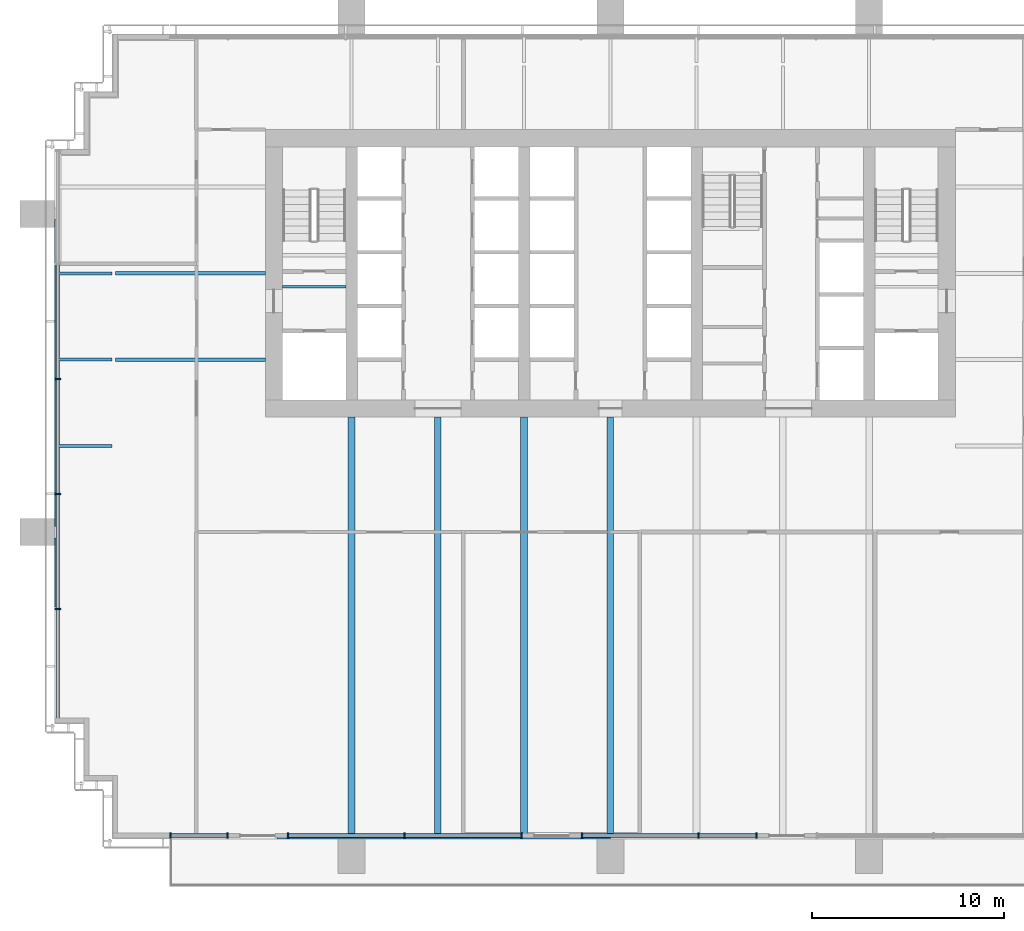
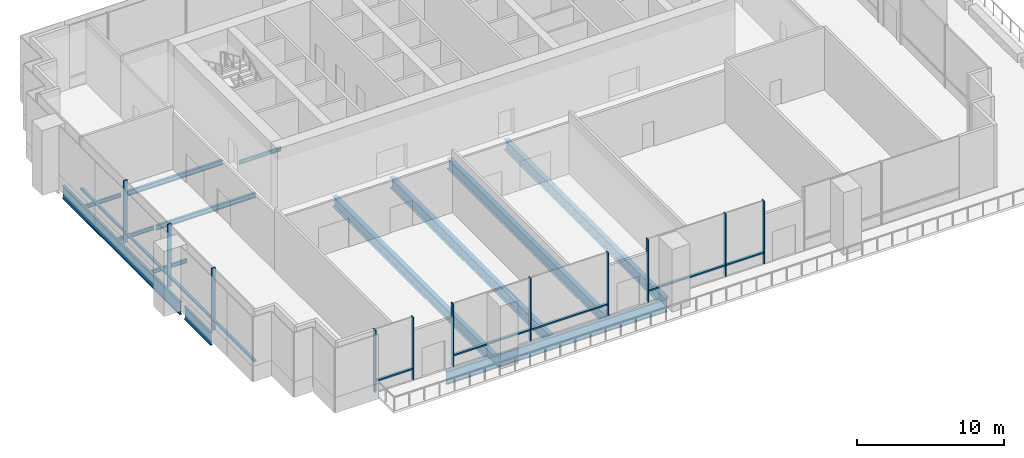
# One storey, part 2 of 14: 20 members, 13 beams, 4 elements without a shape of their own.
"""IFC4 building model written with IfcOpenShell, lengths in metres."""

from ifc_helpers import new_model, si_unit, direction, frame, origin, origin_2d, place, context, subcontext, project, spatial, rectangle, i_section, extrude, material, layer, layer_set, material_profile, profile_set, type_object, element, aggregate, save


model = new_model("IFC4")

# Units and contexts
model_context = context("Model", 3, precision=1e-05, world=origin(), true_north=direction((0.0, 1.0)))
body_context = subcontext(model_context, "Body", "Model", "MODEL_VIEW")
ifc_project = project(units=[si_unit("LENGTHUNIT", "METRE"), si_unit("AREAUNIT", "SQUARE_METRE"), si_unit("VOLUMEUNIT", "CUBIC_METRE"), si_unit("PLANEANGLEUNIT", "RADIAN"), si_unit("MASSUNIT", "GRAM", prefix="KILO")], contexts=[model_context])

# Site, building, storey
site_placement = place(None, origin())
site = spatial("IfcSite", under=ifc_project, at=site_placement, CompositionType="ELEMENT")
building_placement = place(site_placement, origin())
building = spatial("IfcBuilding", under=site, at=building_placement, Name="Rattan Terrace Tower", CompositionType="ELEMENT")
storey_placement = place(building_placement, frame((0.0, 0.0, 120.699951171875)))
storey = spatial("IfcBuildingStorey", under=building, at=storey_placement, Name="L27", CompositionType="ELEMENT", Elevation=120.699951171875)

# Beams
ifc_material_1 = material(Name="Steel S460", Category="steel")
ifc_material_profile_1 = material_profile(ifc_material_1, i_section(OverallWidth=0.179931640625, OverallDepth=1.10009765625, WebThickness=0.01611328125, FlangeThickness=0.050048828125, at=origin_2d()), Name="PG 1100x180-16-50")
ifc_profile_set_1 = profile_set([ifc_material_profile_1], Name="Steel S460")
beam_type_1 = type_object("IfcBeamType", Name="Frame edge girder PG 1100x180-16-50", PredefinedType="SPANDREL", material=ifc_profile_set_1)
beam_1_placement = place(storey_placement, frame((-17.39990234375, -29.409912109375, -0.75), z_axis=(1.0, 0.0, 0.0), x_axis=(0.0, 1.0, 0.0)))
element("IfcBeam", 1, at=beam_1_placement, inside=storey, type_object=beam_type_1, Name="gdr-L27-001", PredefinedType="SPANDREL", context=body_context, shape_type="SweptSolid", body=[
    extrude(i_section(OverallWidth=0.179931640625, OverallDepth=1.10009765625, WebThickness=0.01611328125, FlangeThickness=0.050048828125, at=origin_2d()), origin(), (0.0, 0.0, 1.0), 17.39990234375),
])
beam_2_placement = place(storey_placement, frame((-28.909912109375, -13.800048828125, -0.75), z_axis=(0.0, -1.0, 0.0), x_axis=(1.0, 0.0, 0.0)))
element("IfcBeam", 2, at=beam_2_placement, inside=storey, type_object=beam_type_1, Name="gdr-L27-003", PredefinedType="SPANDREL", context=body_context, shape_type="SweptSolid", body=[
    extrude(i_section(OverallWidth=0.179931640625, OverallDepth=1.10009765625, WebThickness=0.01611328125, FlangeThickness=0.050048828125, at=origin_2d()), origin(), (0.0, 0.0, 1.0), 3.599853515625),
])
beam_3_placement = place(storey_placement, frame((-28.909912109375, 2.800048828125, -0.75), z_axis=(0.0, -1.0, 0.0), x_axis=(1.0, 0.0, 0.0)))
element("IfcBeam", 3, at=beam_3_placement, inside=storey, type_object=beam_type_1, Name="gdr-L27-006", PredefinedType="SPANDREL", context=body_context, shape_type="SweptSolid", body=[
    extrude(i_section(OverallWidth=0.179931640625, OverallDepth=1.10009765625, WebThickness=0.01611328125, FlangeThickness=0.050048828125, at=origin_2d()), origin(), (0.0, 0.0, 1.0), 16.0),
])
ifc_material_2 = material(Name="Steel S355", Category="steel")
ifc_material_profile_2 = material_profile(ifc_material_2, i_section(OverallWidth=0.14990234375, OverallDepth=0.300048828125, WebThickness=0.007080078125, FlangeThickness=0.0107421875, FilletRadius=0.014892578125, at=origin_2d()), Name="IPE 300")
ifc_profile_set_2 = profile_set([ifc_material_profile_2], Name="Steel S355")
beam_type_2 = type_object("IfcBeamType", Name="Frame floor beam IPE 300", PredefinedType="JOIST", material=ifc_profile_set_2)
beam_4_placement = place(storey_placement, frame((-17.10009765625, -0.695068359375, -0.349853515625), z_axis=(1.0, 0.0, 0.0), x_axis=(0.0, 1.0, 0.0)))
element("IfcBeam", 4, at=beam_4_placement, inside=storey, type_object=beam_type_2, Name="bm-L27-001", PredefinedType="JOIST", context=body_context, shape_type="SweptSolid", body=[
    extrude(i_section(OverallWidth=0.14990234375, OverallDepth=0.300048828125, WebThickness=0.007080078125, FlangeThickness=0.0107421875, FilletRadius=0.014892578125, at=origin_2d()), origin(), (0.0, 0.0, 1.0), 3.300048828125),
])
for number, where, z_axis, x_axis, name in (
    (5, (-28.820068359375, -9.0, -0.349853515625), (1.0, 0.0, 0.0), (0.0, 1.0, 0.0), "bm-L27-010"),
    (6, (-28.820068359375, -4.5, -0.349853515625), (1.0, 0.0, 0.0), (0.0, 1.0, 0.0), "bm-L27-012"),
    (7, (-28.820068359375, 0.0, -0.349853515625), (1.0, 0.0, 0.0), (0.0, 1.0, 0.0), "bm-L27-015"),
):
    element("IfcBeam", number, at=place(storey_placement, frame(where, z_axis=z_axis, x_axis=x_axis)), inside=storey, type_object=beam_type_2, Name=name, PredefinedType="JOIST", context=body_context, shape_type="SweptSolid", body=[
        extrude(i_section(OverallWidth=0.14990234375, OverallDepth=0.300048828125, WebThickness=0.007080078125, FlangeThickness=0.0107421875, FilletRadius=0.014892578125, at=origin_2d()), origin(), (0.0, 0.0, 1.0), 2.820068359375),
    ])
ifc_material_3 = material(Name="Steel S355", Category="steel")
ifc_material_profile_3 = material_profile(ifc_material_3, i_section(OverallWidth=0.179931640625, OverallDepth=0.39990234375, WebThickness=0.008544921875, FlangeThickness=0.013427734375, FilletRadius=0.02099609375, at=origin_2d()), Name="IPE 400")
ifc_profile_set_3 = profile_set([ifc_material_profile_3], Name="Steel S355")
beam_type_3 = type_object("IfcBeamType", Name="Frame floor beam IPE 400", PredefinedType="JOIST", material=ifc_profile_set_3)
for number, where, z_axis, x_axis, name in (
    (8, (-25.820068359375, -4.5, -0.39990234375), (1.0, 0.0, 0.0), (0.0, 1.0, 0.0), "bm-L27-013"),
    (9, (-25.820068359375, 0.0, -0.39990234375), (1.0, 0.0, 0.0), (0.0, 1.0, 0.0), "bm-L27-016"),
):
    element("IfcBeam", number, at=place(storey_placement, frame(where, z_axis=z_axis, x_axis=x_axis)), inside=storey, type_object=beam_type_3, Name=name, PredefinedType="JOIST", context=body_context, shape_type="SweptSolid", body=[
        extrude(i_section(OverallWidth=0.179931640625, OverallDepth=0.39990234375, WebThickness=0.008544921875, FlangeThickness=0.013427734375, FilletRadius=0.02099609375, at=origin_2d()), origin(), (0.0, 0.0, 1.0), 7.820068359375),
    ])
ifc_material_4 = material(Name="Steel S460", Category="steel")
ifc_material_profile_4 = material_profile(ifc_material_4, i_section(OverallWidth=0.35009765625, OverallDepth=0.89990234375, WebThickness=0.013916015625, FlangeThickness=0.0400390625, at=origin_2d()), Name="PG 900x350-14-40")
ifc_profile_set_4 = profile_set([ifc_material_profile_4], Name="Steel S460")
beam_type_4 = type_object("IfcBeamType", Name="Frame floor beam PG 900x350-14-40", PredefinedType="JOIST", material=ifc_profile_set_4)
for number, where, z_axis, x_axis, name in (
    (10, (-13.5, -29.320068359375, -0.64990234375), (0.0, 1.0, 0.0), (-1.0, 0.0, 0.0), "bm-L27-003"),
    (11, (-9.0, -29.320068359375, -0.64990234375), (0.0, 1.0, 0.0), (-1.0, 0.0, 0.0), "bm-L27-004"),
    (12, (-4.5, -29.320068359375, -0.64990234375), (0.0, 1.0, 0.0), (-1.0, 0.0, 0.0), "bm-L27-005"),
    (13, (0.0, -29.320068359375, -0.64990234375), (0.0, 1.0, 0.0), (-1.0, 0.0, 0.0), "bm-L27-006"),
):
    element("IfcBeam", number, at=place(storey_placement, frame(where, z_axis=z_axis, x_axis=x_axis)), inside=storey, type_object=beam_type_4, Name=name, PredefinedType="JOIST", context=body_context, shape_type="SweptSolid", body=[
        extrude(i_section(OverallWidth=0.35009765625, OverallDepth=0.89990234375, WebThickness=0.013916015625, FlangeThickness=0.0400390625, at=origin_2d()), origin(), (0.0, 0.0, 1.0), 21.820068359375),
    ])

# Curtain wall, members
ifc_material_5 = material(Name="Steel fins, aluminium and glass", Category="steel")
ifc_layer = layer(ifc_material_5, 0.300048828125)
ifc_layer_set = layer_set([ifc_layer], Name="Sky Lobby Stick Curtain Wall")
curtain_wall_type = type_object("IfcCurtainWallType", Name="Sky Lobby Stick Curtain Wall", PredefinedType="NOTDEFINED", material=ifc_layer_set)
curtain_wall_1_placement = place(storey_placement, origin())
curtain_wall_1 = element("IfcCurtainWall", 14, at=curtain_wall_1_placement, inside=storey, type_object=curtain_wall_type, Name="Sky lobby curtain wall L27-4", PredefinedType="NOTDEFINED")
ifc_material_6 = material(Name="Steel S355", Category="steel")
ifc_material_profile_5 = material_profile(ifc_material_6, rectangle(XDim=0.080078125, YDim=0.300048828125, at=origin_2d()), Name="Steel S355 80x300")
ifc_profile_set_5 = profile_set([ifc_material_profile_5], Name="Steel S355")
member_type_1 = type_object("IfcMemberType", Name="Sky Lobby CW Fin 80x300", PredefinedType="MULLION", material=ifc_profile_set_5)
member_1_placement = place(storey_placement, frame((-28.830078125, -5.5, 0.0), z_axis=(0.0, 0.0, 1.0), x_axis=(0.0, -1.0, 0.0)))
member_1 = element("IfcMember", 15, at=member_1_placement, type_object=member_type_1, Name="Mullion cwl-L27-004.3", PredefinedType="MULLION", context=body_context, shape_type="SweptSolid", body=[
    extrude(rectangle(XDim=0.080078125, YDim=0.300048828125, at=origin_2d()), origin(), (0.0, 0.0, 1.0), 5.199951171875),
])
member_2_placement = place(storey_placement, frame((-28.830078125, -11.5, 0.0), z_axis=(0.0, 0.0, 1.0), x_axis=(0.0, -1.0, 0.0)))
member_2 = element("IfcMember", 16, at=member_2_placement, type_object=member_type_1, Name="Mullion cwl-L27-004.4", PredefinedType="MULLION", context=body_context, shape_type="SweptSolid", body=[
    extrude(rectangle(XDim=0.080078125, YDim=0.300048828125, at=origin_2d()), origin(), (0.0, 0.0, 1.0), 5.199951171875),
])
member_3_placement = place(storey_placement, frame((-28.830078125, -17.5, 0.0), z_axis=(0.0, 0.0, 1.0), x_axis=(0.0, -1.0, 0.0)))
member_3 = element("IfcMember", 17, at=member_3_placement, type_object=member_type_1, Name="Mullion cwl-L27-004.5", PredefinedType="MULLION", context=body_context, shape_type="SweptSolid", body=[
    extrude(rectangle(XDim=0.080078125, YDim=0.300048828125, at=origin_2d()), origin(), (0.0, 0.0, 1.0), 5.199951171875),
])

curtain_wall_2_placement = place(storey_placement, origin())
curtain_wall_2 = element("IfcCurtainWall", 18, at=curtain_wall_2_placement, inside=storey, type_object=curtain_wall_type, Name="Sky lobby curtain wall L27-5", PredefinedType="NOTDEFINED")
member_4_placement = place(storey_placement, frame((-22.9599609375, -29.330078125, 0.0), z_axis=(0.0, 0.0, 1.0), x_axis=(1.0, 0.0, 0.0)))
member_4 = element("IfcMember", 19, at=member_4_placement, type_object=member_type_1, Name="Mullion cwl-L27-005.1", PredefinedType="MULLION", context=body_context, shape_type="SweptSolid", body=[
    extrude(rectangle(XDim=0.080078125, YDim=0.300048828125, at=origin_2d()), origin(), (0.0, 0.0, 1.0), 5.199951171875),
])
member_5_placement = place(storey_placement, frame((-19.972900390625, -29.330078125, 0.0), z_axis=(0.0, 0.0, 1.0), x_axis=(1.0, 0.0, 0.0)))
member_5 = element("IfcMember", 20, at=member_5_placement, type_object=member_type_1, Name="Mullion cwl-L27-005.2", PredefinedType="MULLION", context=body_context, shape_type="SweptSolid", body=[
    extrude(rectangle(XDim=0.080078125, YDim=0.300048828125, at=origin_2d()), origin(), (0.0, 0.0, 1.0), 5.199951171875),
])

curtain_wall_3_placement = place(storey_placement, origin())
curtain_wall_3 = element("IfcCurtainWall", 21, at=curtain_wall_3_placement, inside=storey, type_object=curtain_wall_type, Name="Sky lobby curtain wall L27-6", PredefinedType="NOTDEFINED")
member_6_placement = place(storey_placement, frame((-16.825927734375, -29.330078125, 0.0), z_axis=(0.0, 0.0, 1.0), x_axis=(1.0, 0.0, 0.0)))
member_6 = element("IfcMember", 22, at=member_6_placement, type_object=member_type_1, Name="Mullion cwl-L27-006.1", PredefinedType="MULLION", context=body_context, shape_type="SweptSolid", body=[
    extrude(rectangle(XDim=0.080078125, YDim=0.300048828125, at=origin_2d()), origin(), (0.0, 0.0, 1.0), 5.199951171875),
])
member_7_placement = place(storey_placement, frame((-10.73193359375, -29.330078125, 0.0), z_axis=(0.0, 0.0, 1.0), x_axis=(1.0, 0.0, 0.0)))
member_7 = element("IfcMember", 23, at=member_7_placement, type_object=member_type_1, Name="Mullion cwl-L27-006.2", PredefinedType="MULLION", context=body_context, shape_type="SweptSolid", body=[
    extrude(rectangle(XDim=0.080078125, YDim=0.300048828125, at=origin_2d()), origin(), (0.0, 0.0, 1.0), 5.199951171875),
])
member_8_placement = place(storey_placement, frame((-4.637939453125, -29.330078125, 0.0), z_axis=(0.0, 0.0, 1.0), x_axis=(1.0, 0.0, 0.0)))
member_8 = element("IfcMember", 24, at=member_8_placement, type_object=member_type_1, Name="Mullion cwl-L27-006.3", PredefinedType="MULLION", context=body_context, shape_type="SweptSolid", body=[
    extrude(rectangle(XDim=0.080078125, YDim=0.300048828125, at=origin_2d()), origin(), (0.0, 0.0, 1.0), 5.199951171875),
])

curtain_wall_4_placement = place(storey_placement, origin())
curtain_wall_4 = element("IfcCurtainWall", 25, at=curtain_wall_4_placement, inside=storey, type_object=curtain_wall_type, Name="Sky lobby curtain wall L27-7", PredefinedType="NOTDEFINED")
member_9_placement = place(storey_placement, frame((-1.490966796875, -29.330078125, 0.0), z_axis=(0.0, 0.0, 1.0), x_axis=(1.0, 0.0, 0.0)))
member_9 = element("IfcMember", 26, at=member_9_placement, type_object=member_type_1, Name="Mullion cwl-L27-007.1", PredefinedType="MULLION", context=body_context, shape_type="SweptSolid", body=[
    extrude(rectangle(XDim=0.080078125, YDim=0.300048828125, at=origin_2d()), origin(), (0.0, 0.0, 1.0), 5.199951171875),
])
member_10_placement = place(storey_placement, frame((4.60302734375, -29.330078125, 0.0), z_axis=(0.0, 0.0, 1.0), x_axis=(1.0, 0.0, 0.0)))
member_10 = element("IfcMember", 27, at=member_10_placement, type_object=member_type_1, Name="Mullion cwl-L27-007.2", PredefinedType="MULLION", context=body_context, shape_type="SweptSolid", body=[
    extrude(rectangle(XDim=0.080078125, YDim=0.300048828125, at=origin_2d()), origin(), (0.0, 0.0, 1.0), 5.199951171875),
])
member_11_placement = place(storey_placement, frame((7.6298828125, -29.330078125, 0.0), z_axis=(0.0, 0.0, 1.0), x_axis=(1.0, 0.0, 0.0)))
member_11 = element("IfcMember", 28, at=member_11_placement, type_object=member_type_1, Name="Mullion cwl-L27-007.3", PredefinedType="MULLION", context=body_context, shape_type="SweptSolid", body=[
    extrude(rectangle(XDim=0.080078125, YDim=0.300048828125, at=origin_2d()), origin(), (0.0, 0.0, 1.0), 5.199951171875),
])

# Member
ifc_material_7 = material(Name="Aluminium", Category="aluminium")
ifc_material_profile_6 = material_profile(ifc_material_7, rectangle(XDim=0.199951171875, YDim=0.1201171875, at=origin_2d()), Name="Aluminium 200x120")
ifc_profile_set_6 = profile_set([ifc_material_profile_6], Name="Aluminium")
member_type_2 = type_object("IfcMemberType", Name="Sky Lobby CW Transom 200x120", PredefinedType="USERDEFINED", material=ifc_profile_set_6)
member_12_placement = place(storey_placement, frame((-28.830078125, 0.4599609375, 0.900146484375), z_axis=(0.0, -1.0, 0.0), x_axis=(1.0, 0.0, 0.0)))
member_12 = element("IfcMember", 29, at=member_12_placement, type_object=member_type_2, Name="Transom cwl-L27-004.2", ObjectType="TRANSOM", PredefinedType="USERDEFINED", context=body_context, shape_type="SweptSolid", body=[
    extrude(rectangle(XDim=0.199951171875, YDim=0.1201171875, at=origin_2d()), origin(), (0.0, 0.0, 1.0), 5.919921875),
])

member_13_placement = place(storey_placement, frame((-28.830078125, -5.5400390625, 0.900146484375), z_axis=(0.0, -1.0, 0.0), x_axis=(1.0, 0.0, 0.0)))
member_13 = element("IfcMember", 30, at=member_13_placement, type_object=member_type_2, Name="Transom cwl-L27-004.3", ObjectType="TRANSOM", PredefinedType="USERDEFINED", context=body_context, shape_type="SweptSolid", body=[
    extrude(rectangle(XDim=0.199951171875, YDim=0.1201171875, at=origin_2d()), origin(), (0.0, 0.0, 1.0), 5.919921875),
])

member_14_placement = place(storey_placement, frame((-28.830078125, -11.5400390625, 0.900146484375), z_axis=(0.0, -1.0, 0.0), x_axis=(1.0, 0.0, 0.0)))
member_14 = element("IfcMember", 31, at=member_14_placement, type_object=member_type_2, Name="Transom cwl-L27-004.4", ObjectType="TRANSOM", PredefinedType="USERDEFINED", context=body_context, shape_type="SweptSolid", body=[
    extrude(rectangle(XDim=0.199951171875, YDim=0.1201171875, at=origin_2d()), origin(), (0.0, 0.0, 1.0), 5.919921875),
])

member_15_placement = place(storey_placement, frame((-28.830078125, -17.5400390625, 0.900146484375), z_axis=(0.0, -1.0, 0.0), x_axis=(1.0, 0.0, 0.0)))
member_15 = element("IfcMember", 32, at=member_15_placement, type_object=member_type_2, Name="Transom cwl-L27-004.5", ObjectType="TRANSOM", PredefinedType="USERDEFINED", context=body_context, shape_type="SweptSolid", body=[
    extrude(rectangle(XDim=0.199951171875, YDim=0.1201171875, at=origin_2d()), origin(), (0.0, 0.0, 1.0), 5.6650390625),
])

aggregate(curtain_wall_1, [member_1, member_2, member_3, member_12, member_13, member_14, member_15])

member_16_placement = place(storey_placement, frame((-22.919921875, -29.330078125, 0.900146484375), z_axis=(1.0, 0.0, 0.0), x_axis=(0.0, 1.0, 0.0)))
member_16 = element("IfcMember", 33, at=member_16_placement, type_object=member_type_2, Name="Transom cwl-L27-005.1", ObjectType="TRANSOM", PredefinedType="USERDEFINED", context=body_context, shape_type="SweptSolid", body=[
    extrude(rectangle(XDim=0.199951171875, YDim=0.1201171875, at=origin_2d()), origin(), (0.0, 0.0, 1.0), 2.906982421875),
])

aggregate(curtain_wall_2, [member_4, member_5, member_16])

member_17_placement = place(storey_placement, frame((-16.785888671875, -29.330078125, 0.900146484375), z_axis=(1.0, 0.0, 0.0), x_axis=(0.0, 1.0, 0.0)))
member_17 = element("IfcMember", 34, at=member_17_placement, type_object=member_type_2, Name="Transom cwl-L27-006.1", ObjectType="TRANSOM", PredefinedType="USERDEFINED", context=body_context, shape_type="SweptSolid", body=[
    extrude(rectangle(XDim=0.199951171875, YDim=0.1201171875, at=origin_2d()), origin(), (0.0, 0.0, 1.0), 6.013916015625),
])

member_18_placement = place(storey_placement, frame((-10.69189453125, -29.330078125, 0.900146484375), z_axis=(1.0, 0.0, 0.0), x_axis=(0.0, 1.0, 0.0)))
member_18 = element("IfcMember", 35, at=member_18_placement, type_object=member_type_2, Name="Transom cwl-L27-006.2", ObjectType="TRANSOM", PredefinedType="USERDEFINED", context=body_context, shape_type="SweptSolid", body=[
    extrude(rectangle(XDim=0.199951171875, YDim=0.1201171875, at=origin_2d()), origin(), (0.0, 0.0, 1.0), 6.013916015625),
])

aggregate(curtain_wall_3, [member_6, member_7, member_8, member_17, member_18])

member_19_placement = place(storey_placement, frame((-1.450927734375, -29.330078125, 0.900146484375), z_axis=(1.0, 0.0, 0.0), x_axis=(0.0, 1.0, 0.0)))
member_19 = element("IfcMember", 36, at=member_19_placement, type_object=member_type_2, Name="Transom cwl-L27-007.1", ObjectType="TRANSOM", PredefinedType="USERDEFINED", context=body_context, shape_type="SweptSolid", body=[
    extrude(rectangle(XDim=0.199951171875, YDim=0.1201171875, at=origin_2d()), origin(), (0.0, 0.0, 1.0), 6.013916015625),
])

member_20_placement = place(storey_placement, frame((4.64306640625, -29.330078125, 0.900146484375), z_axis=(1.0, 0.0, 0.0), x_axis=(0.0, 1.0, 0.0)))
member_20 = element("IfcMember", 37, at=member_20_placement, type_object=member_type_2, Name="Transom cwl-L27-007.2", ObjectType="TRANSOM", PredefinedType="USERDEFINED", context=body_context, shape_type="SweptSolid", body=[
    extrude(rectangle(XDim=0.199951171875, YDim=0.1201171875, at=origin_2d()), origin(), (0.0, 0.0, 1.0), 2.947021484375),
])

aggregate(curtain_wall_4, [member_9, member_10, member_11, member_19, member_20])

save(model, "model.ifc")
